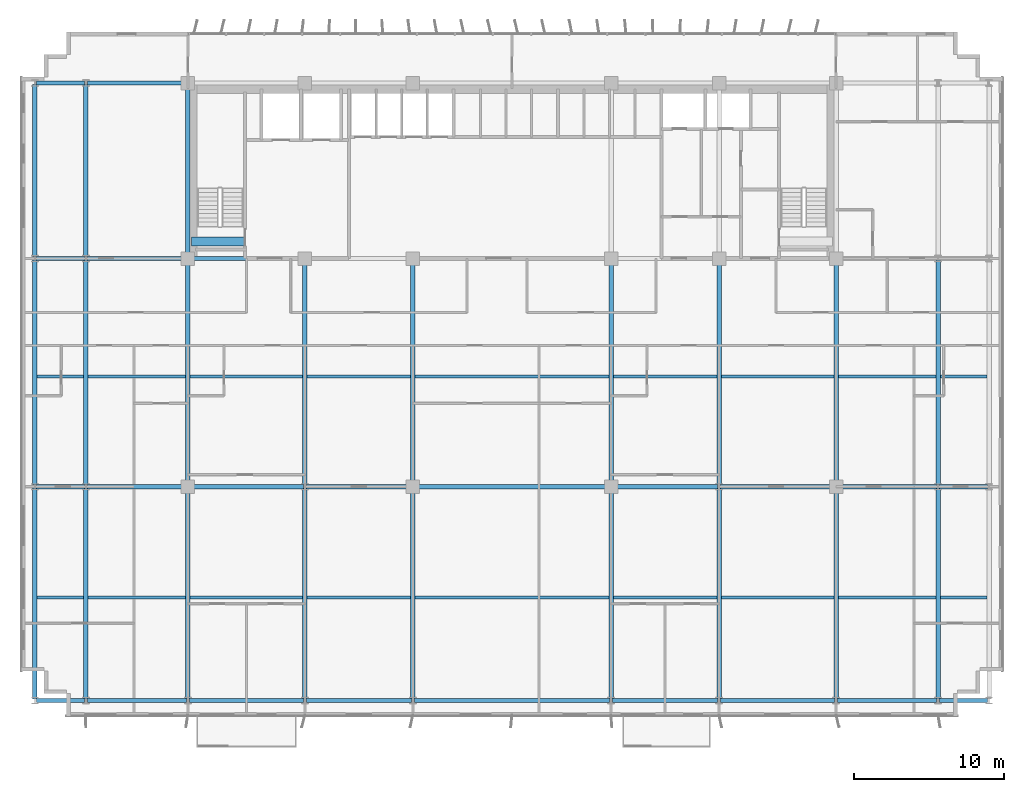
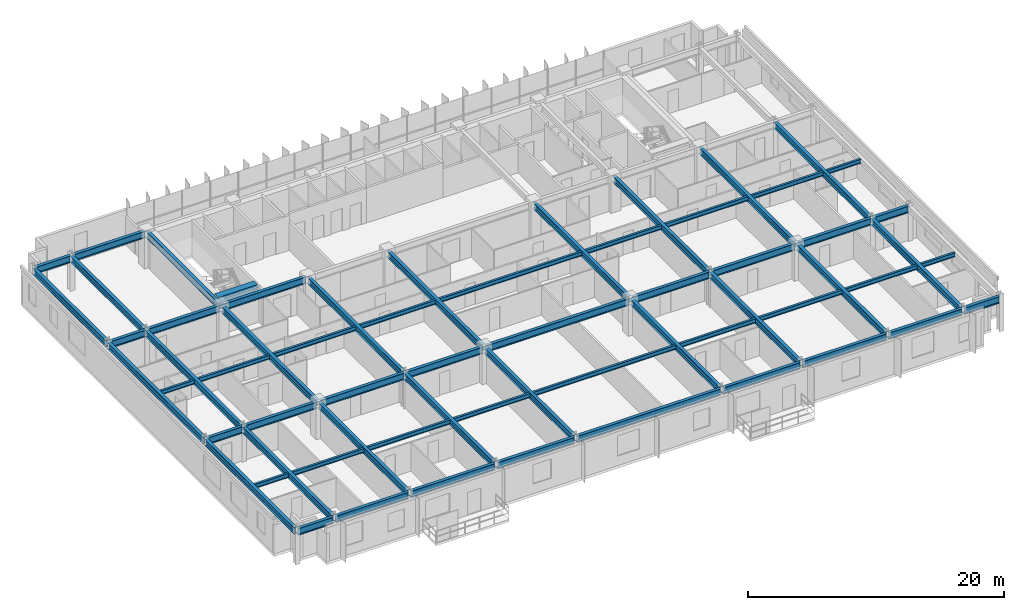
# One storey, part 4 of 22: 63 beams.
"""IFC4 building model written with IfcOpenShell, lengths in metres."""

from ifc_helpers import new_model, si_unit, direction, frame, origin, origin_2d, place, context, subcontext, project, spatial, rectangle, i_section, extrude, source, transform, mapped, material, material_profile, profile_set, type_object, element, save


model = new_model("IFC4")

# Units and contexts
model_context = context("Model", 3, precision=1e-05, world=origin(), true_north=direction((0.0, 1.0)))
body_context = subcontext(model_context, "Body", "Model", "MODEL_VIEW")
ifc_project = project(units=[si_unit("LENGTHUNIT", "METRE"), si_unit("AREAUNIT", "SQUARE_METRE"), si_unit("VOLUMEUNIT", "CUBIC_METRE"), si_unit("PLANEANGLEUNIT", "RADIAN"), si_unit("MASSUNIT", "GRAM", prefix="KILO")], contexts=[model_context])

# Site, building, storey
site_placement = place(None, origin())
site = spatial("IfcSite", under=ifc_project, at=site_placement, CompositionType="ELEMENT")
building_placement = place(site_placement, origin())
building = spatial("IfcBuilding", under=site, at=building_placement, Name="Trelvane Seafront Commons", CompositionType="ELEMENT")
storey_placement = place(building_placement, frame((0.0, 0.0, 48.699951171875)))
storey = spatial("IfcBuildingStorey", under=building, at=storey_placement, Name="L12", CompositionType="ELEMENT", Elevation=48.699951171875)

# Beams
ifc_material_1 = material(Name="Concrete C60/75", Category="concrete")
ifc_material_profile_1 = material_profile(ifc_material_1, rectangle(XDim=0.60009765625, YDim=0.89990234375, at=origin_2d()), Name="RC-600x900")
ifc_profile_set_1 = profile_set([ifc_material_profile_1], Name="Concrete C60/75")
beam_type_1 = type_object("IfcBeamType", Name="STR-LNT-RC600x900", PredefinedType="LINTEL", material=ifc_profile_set_1)
shared_shape_1 = source(origin(), body_context, "Body", "SweptSolid", [
    extrude(rectangle(XDim=0.60009765625, YDim=0.89990234375, at=origin_2d()), origin(), (0.0, 0.0, 1.0), 3.5498046875),
])
beam_1_placement = place(storey_placement, frame((15.85009765625, 34.550048828125, 2.89013671875), z_axis=(1.0, 0.0, 0.0), x_axis=(0.0, 1.0, 0.0)))
element("IfcBeam", 1, at=beam_1_placement, inside=storey, type_object=beam_type_1, Name="L12 Core Coupling Lintel Beam CB-85", PredefinedType="LINTEL", context=body_context, shape_type="MappedRepresentation", body=[
    mapped(shared_shape_1, transform((0.0, 0.0, 0.0), x_axis=(1.0, 0.0, 0.0), y_axis=(0.0, 1.0, 0.0), z_axis=(0.0, 0.0, 1.0), scale=1.0)),
])
ifc_material_2 = material(Name="Steel SM355 (S355)", Category="steel")
ifc_material_profile_2 = material_profile(ifc_material_2, i_section(OverallWidth=0.280029296875, OverallDepth=0.64990234375, WebThickness=0.012939453125, FlangeThickness=0.02197265625, at=origin_2d()), Name="H-650x280x13x22")
ifc_profile_set_2 = profile_set([ifc_material_profile_2], Name="Steel SM355 (S355)")
beam_type_2 = type_object("IfcBeamType", Name="STR-BM-H650", PredefinedType="BEAM", material=ifc_profile_set_2)
shared_shape_2 = source(origin(), body_context, "Body", "SweptSolid", [
    extrude(i_section(OverallWidth=0.280029296875, OverallDepth=0.64990234375, WebThickness=0.012939453125, FlangeThickness=0.02197265625, at=origin_2d()), origin(), (0.0, 0.0, 1.0), 3.190185546875),
])
for number, where, z_axis, x_axis, name in (
    (2, (5.5048828125, 3.949951171875, 3.01513671875), (1.0, 0.0, 0.0), (0.0, 1.0, 0.0), "L12 Primary Girder G-01"),
    (3, (5.5048828125, 18.199951171875, 3.01513671875), (1.0, 0.0, 0.0), (0.0, 1.0, 0.0), "L12 Primary Girder G-10"),
    (4, (5.5048828125, 33.39990234375, 3.01513671875), (1.0, 0.0, 0.0), (0.0, 1.0, 0.0), "L12 Primary Girder G-19"),
    (5, (5.5048828125, 45.10009765625, 3.01513671875), (1.0, 0.0, 0.0), (0.0, 1.0, 0.0), "L12 Primary Girder G-28"),
):
    element("IfcBeam", number, at=place(storey_placement, frame(where, z_axis=z_axis, x_axis=x_axis)), inside=storey, type_object=beam_type_2, Name=name, PredefinedType="BEAM", context=body_context, shape_type="MappedRepresentation", body=[
        mapped(shared_shape_2, transform((0.0, 0.0, 0.0), x_axis=(1.0, 0.0, 0.0), y_axis=(0.0, 1.0, 0.0), z_axis=(0.0, 0.0, 1.0), scale=1.0)),
    ])
shared_shape_3 = source(origin(), body_context, "Body", "SweptSolid", [
    extrude(i_section(OverallWidth=0.280029296875, OverallDepth=0.64990234375, WebThickness=0.012939453125, FlangeThickness=0.02197265625, at=origin_2d()), origin(), (0.0, 0.0, 1.0), 6.590087890625),
])
for number, where, z_axis, x_axis, name in (
    (6, (8.905029296875, 3.949951171875, 3.01513671875), (1.0, 0.0, 0.0), (0.0, 1.0, 0.0), "L12 Primary Girder G-02"),
    (7, (58.905029296875, 3.949951171875, 3.01513671875), (1.0, 0.0, 0.0), (0.0, 1.0, 0.0), "L12 Primary Girder G-08"),
):
    element("IfcBeam", number, at=place(storey_placement, frame(where, z_axis=z_axis, x_axis=x_axis)), inside=storey, type_object=beam_type_2, Name=name, PredefinedType="BEAM", context=body_context, shape_type="MappedRepresentation", body=[
        mapped(shared_shape_3, transform((0.0, 0.0, 0.0), x_axis=(1.0, 0.0, 0.0), y_axis=(0.0, 1.0, 0.0), z_axis=(0.0, 0.0, 1.0), scale=1.0)),
    ])
shared_shape_4 = source(origin(), body_context, "Body", "SweptSolid", [
    extrude(i_section(OverallWidth=0.280029296875, OverallDepth=0.64990234375, WebThickness=0.012939453125, FlangeThickness=0.02197265625, at=origin_2d()), origin(), (0.0, 0.0, 1.0), 7.58984375),
])
beam_2_placement = place(storey_placement, frame((15.705078125, 3.949951171875, 3.01513671875), z_axis=(1.0, 0.0, 0.0), x_axis=(0.0, 1.0, 0.0)))
element("IfcBeam", 8, at=beam_2_placement, inside=storey, type_object=beam_type_2, Name="L12 Primary Girder G-03", PredefinedType="BEAM", context=body_context, shape_type="MappedRepresentation", body=[
    mapped(shared_shape_4, transform((0.0, 0.0, 0.0), x_axis=(1.0, 0.0, 0.0), y_axis=(0.0, 1.0, 0.0), z_axis=(0.0, 0.0, 1.0), scale=1.0)),
])
shared_shape_5 = source(origin(), body_context, "Body", "SweptSolid", [
    extrude(i_section(OverallWidth=0.280029296875, OverallDepth=0.64990234375, WebThickness=0.012939453125, FlangeThickness=0.02197265625, at=origin_2d()), origin(), (0.0, 0.0, 1.0), 6.990234375),
])
beam_3_placement = place(storey_placement, frame((23.5048828125, 3.949951171875, 3.01513671875), z_axis=(1.0, 0.0, 0.0), x_axis=(0.0, 1.0, 0.0)))
element("IfcBeam", 9, at=beam_3_placement, inside=storey, type_object=beam_type_2, Name="L12 Primary Girder G-04", PredefinedType="BEAM", context=body_context, shape_type="MappedRepresentation", body=[
    mapped(shared_shape_5, transform((0.0, 0.0, 0.0), x_axis=(1.0, 0.0, 0.0), y_axis=(0.0, 1.0, 0.0), z_axis=(0.0, 0.0, 1.0), scale=1.0)),
])
shared_shape_6 = source(origin(), body_context, "Body", "SweptSolid", [
    extrude(i_section(OverallWidth=0.280029296875, OverallDepth=0.64990234375, WebThickness=0.012939453125, FlangeThickness=0.02197265625, at=origin_2d()), origin(), (0.0, 0.0, 1.0), 12.989990234375),
])
beam_4_placement = place(storey_placement, frame((30.705078125, 3.949951171875, 3.01513671875), z_axis=(1.0, 0.0, 0.0), x_axis=(0.0, 1.0, 0.0)))
element("IfcBeam", 10, at=beam_4_placement, inside=storey, type_object=beam_type_2, Name="L12 Primary Girder G-05", PredefinedType="BEAM", context=body_context, shape_type="MappedRepresentation", body=[
    mapped(shared_shape_6, transform((0.0, 0.0, 0.0), x_axis=(1.0, 0.0, 0.0), y_axis=(0.0, 1.0, 0.0), z_axis=(0.0, 0.0, 1.0), scale=1.0)),
])
shared_shape_7 = source(origin(), body_context, "Body", "SweptSolid", [
    extrude(i_section(OverallWidth=0.280029296875, OverallDepth=0.64990234375, WebThickness=0.012939453125, FlangeThickness=0.02197265625, at=origin_2d()), origin(), (0.0, 0.0, 1.0), 6.989990234375),
])
beam_5_placement = place(storey_placement, frame((43.905029296875, 3.949951171875, 3.01513671875), z_axis=(1.0, 0.0, 0.0), x_axis=(0.0, 1.0, 0.0)))
element("IfcBeam", 11, at=beam_5_placement, inside=storey, type_object=beam_type_2, Name="L12 Primary Girder G-06", PredefinedType="BEAM", context=body_context, shape_type="MappedRepresentation", body=[
    mapped(shared_shape_7, transform((0.0, 0.0, 0.0), x_axis=(1.0, 0.0, 0.0), y_axis=(0.0, 1.0, 0.0), z_axis=(0.0, 0.0, 1.0), scale=1.0)),
])
shared_shape_8 = source(origin(), body_context, "Body", "SweptSolid", [
    extrude(i_section(OverallWidth=0.280029296875, OverallDepth=0.64990234375, WebThickness=0.012939453125, FlangeThickness=0.02197265625, at=origin_2d()), origin(), (0.0, 0.0, 1.0), 7.590087890625),
])
beam_6_placement = place(storey_placement, frame((51.10498046875, 3.949951171875, 3.01513671875), z_axis=(1.0, 0.0, 0.0), x_axis=(0.0, 1.0, 0.0)))
element("IfcBeam", 12, at=beam_6_placement, inside=storey, type_object=beam_type_2, Name="L12 Primary Girder G-07", PredefinedType="BEAM", context=body_context, shape_type="MappedRepresentation", body=[
    mapped(shared_shape_8, transform((0.0, 0.0, 0.0), x_axis=(1.0, 0.0, 0.0), y_axis=(0.0, 1.0, 0.0), z_axis=(0.0, 0.0, 1.0), scale=1.0)),
])
shared_shape_9 = source(origin(), body_context, "Body", "SweptSolid", [
    extrude(i_section(OverallWidth=0.280029296875, OverallDepth=0.64990234375, WebThickness=0.012939453125, FlangeThickness=0.02197265625, at=origin_2d()), origin(), (0.0, 0.0, 1.0), 3.18994140625),
])
for number, where, z_axis, x_axis, name in (
    (13, (65.705078125, 3.949951171875, 3.01513671875), (1.0, 0.0, 0.0), (0.0, 1.0, 0.0), "L12 Primary Girder G-09"),
    (14, (65.705078125, 18.199951171875, 3.01513671875), (1.0, 0.0, 0.0), (0.0, 1.0, 0.0), "L12 Primary Girder G-18"),
):
    element("IfcBeam", number, at=place(storey_placement, frame(where, z_axis=z_axis, x_axis=x_axis)), inside=storey, type_object=beam_type_2, Name=name, PredefinedType="BEAM", context=body_context, shape_type="MappedRepresentation", body=[
        mapped(shared_shape_9, transform((0.0, 0.0, 0.0), x_axis=(1.0, 0.0, 0.0), y_axis=(0.0, 1.0, 0.0), z_axis=(0.0, 0.0, 1.0), scale=1.0)),
    ])
shared_shape_10 = source(origin(), body_context, "Body", "SweptSolid", [
    extrude(i_section(OverallWidth=0.280029296875, OverallDepth=0.64990234375, WebThickness=0.012939453125, FlangeThickness=0.02197265625, at=origin_2d()), origin(), (0.0, 0.0, 1.0), 6.544921875),
])
for number, where, z_axis, x_axis, name in (
    (15, (8.905029296875, 18.199951171875, 3.01513671875), (1.0, 0.0, 0.0), (0.0, 1.0, 0.0), "L12 Primary Girder G-11"),
    (16, (8.905029296875, 33.39990234375, 3.01513671875), (1.0, 0.0, 0.0), (0.0, 1.0, 0.0), "L12 Primary Girder G-20"),
    (17, (8.905029296875, 45.10009765625, 3.01513671875), (1.0, 0.0, 0.0), (0.0, 1.0, 0.0), "L12 Primary Girder G-29"),
):
    element("IfcBeam", number, at=place(storey_placement, frame(where, z_axis=z_axis, x_axis=x_axis)), inside=storey, type_object=beam_type_2, Name=name, PredefinedType="BEAM", context=body_context, shape_type="MappedRepresentation", body=[
        mapped(shared_shape_10, transform((0.0, 0.0, 0.0), x_axis=(1.0, 0.0, 0.0), y_axis=(0.0, 1.0, 0.0), z_axis=(0.0, 0.0, 1.0), scale=1.0)),
    ])
shared_shape_11 = source(origin(), body_context, "Body", "SweptSolid", [
    extrude(i_section(OverallWidth=0.280029296875, OverallDepth=0.64990234375, WebThickness=0.012939453125, FlangeThickness=0.02197265625, at=origin_2d()), origin(), (0.0, 0.0, 1.0), 7.544921875),
])
for number, where, z_axis, x_axis, name in (
    (18, (15.75, 18.199951171875, 3.01513671875), (1.0, 0.0, 0.0), (0.0, 1.0, 0.0), "L12 Primary Girder G-12"),
    (19, (51.10498046875, 18.199951171875, 3.01513671875), (1.0, 0.0, 0.0), (0.0, 1.0, 0.0), "L12 Primary Girder G-16"),
):
    element("IfcBeam", number, at=place(storey_placement, frame(where, z_axis=z_axis, x_axis=x_axis)), inside=storey, type_object=beam_type_2, Name=name, PredefinedType="BEAM", context=body_context, shape_type="MappedRepresentation", body=[
        mapped(shared_shape_11, transform((0.0, 0.0, 0.0), x_axis=(1.0, 0.0, 0.0), y_axis=(0.0, 1.0, 0.0), z_axis=(0.0, 0.0, 1.0), scale=1.0)),
    ])
shared_shape_12 = source(origin(), body_context, "Body", "SweptSolid", [
    extrude(i_section(OverallWidth=0.280029296875, OverallDepth=0.64990234375, WebThickness=0.012939453125, FlangeThickness=0.02197265625, at=origin_2d()), origin(), (0.0, 0.0, 1.0), 6.945068359375),
])
for number, where, z_axis, x_axis, name in (
    (20, (23.5048828125, 18.199951171875, 3.01513671875), (1.0, 0.0, 0.0), (0.0, 1.0, 0.0), "L12 Primary Girder G-13"),
    (21, (43.949951171875, 18.199951171875, 3.01513671875), (1.0, 0.0, 0.0), (0.0, 1.0, 0.0), "L12 Primary Girder G-15"),
):
    element("IfcBeam", number, at=place(storey_placement, frame(where, z_axis=z_axis, x_axis=x_axis)), inside=storey, type_object=beam_type_2, Name=name, PredefinedType="BEAM", context=body_context, shape_type="MappedRepresentation", body=[
        mapped(shared_shape_12, transform((0.0, 0.0, 0.0), x_axis=(1.0, 0.0, 0.0), y_axis=(0.0, 1.0, 0.0), z_axis=(0.0, 0.0, 1.0), scale=1.0)),
    ])
shared_shape_13 = source(origin(), body_context, "Body", "SweptSolid", [
    extrude(i_section(OverallWidth=0.280029296875, OverallDepth=0.64990234375, WebThickness=0.012939453125, FlangeThickness=0.02197265625, at=origin_2d()), origin(), (0.0, 0.0, 1.0), 12.89990234375),
])
beam_7_placement = place(storey_placement, frame((30.75, 18.199951171875, 3.01513671875), z_axis=(1.0, 0.0, 0.0), x_axis=(0.0, 1.0, 0.0)))
element("IfcBeam", 22, at=beam_7_placement, inside=storey, type_object=beam_type_2, Name="L12 Primary Girder G-14", PredefinedType="BEAM", context=body_context, shape_type="MappedRepresentation", body=[
    mapped(shared_shape_13, transform((0.0, 0.0, 0.0), x_axis=(1.0, 0.0, 0.0), y_axis=(0.0, 1.0, 0.0), z_axis=(0.0, 0.0, 1.0), scale=1.0)),
])
shared_shape_14 = source(origin(), body_context, "Body", "SweptSolid", [
    extrude(i_section(OverallWidth=0.280029296875, OverallDepth=0.64990234375, WebThickness=0.012939453125, FlangeThickness=0.02197265625, at=origin_2d()), origin(), (0.0, 0.0, 1.0), 6.545166015625),
])
beam_8_placement = place(storey_placement, frame((58.949951171875, 18.199951171875, 3.01513671875), z_axis=(1.0, 0.0, 0.0), x_axis=(0.0, 1.0, 0.0)))
element("IfcBeam", 23, at=beam_8_placement, inside=storey, type_object=beam_type_2, Name="L12 Primary Girder G-17", PredefinedType="BEAM", context=body_context, shape_type="MappedRepresentation", body=[
    mapped(shared_shape_14, transform((0.0, 0.0, 0.0), x_axis=(1.0, 0.0, 0.0), y_axis=(0.0, 1.0, 0.0), z_axis=(0.0, 0.0, 1.0), scale=1.0)),
])
shared_shape_15 = source(origin(), body_context, "Body", "SweptSolid", [
    extrude(i_section(OverallWidth=0.280029296875, OverallDepth=0.64990234375, WebThickness=0.012939453125, FlangeThickness=0.02197265625, at=origin_2d()), origin(), (0.0, 0.0, 1.0), 7.5),
])
beam_9_placement = place(storey_placement, frame((15.75, 33.39990234375, 3.01513671875), z_axis=(1.0, 0.0, 0.0), x_axis=(0.0, 1.0, 0.0)))
element("IfcBeam", 24, at=beam_9_placement, inside=storey, type_object=beam_type_2, Name="L12 Primary Girder G-21", PredefinedType="BEAM", context=body_context, shape_type="MappedRepresentation", body=[
    mapped(shared_shape_15, transform((0.0, 0.0, 0.0), x_axis=(1.0, 0.0, 0.0), y_axis=(0.0, 1.0, 0.0), z_axis=(0.0, 0.0, 1.0), scale=1.0)),
])
ifc_material_profile_3 = material_profile(ifc_material_2, i_section(OverallWidth=0.300048828125, OverallDepth=0.587890625, WebThickness=0.011962890625, FlangeThickness=0.02001953125, at=origin_2d()), Name="H-588x300x12x20")
ifc_profile_set_3 = profile_set([ifc_material_profile_3], Name="Steel SM355 (S355)")
beam_type_3 = type_object("IfcBeamType", Name="STR-BM-H588", PredefinedType="BEAM", material=ifc_profile_set_3)
shared_shape_16 = source(origin(), body_context, "Body", "SweptSolid", [
    extrude(i_section(OverallWidth=0.300048828125, OverallDepth=0.587890625, WebThickness=0.011962890625, FlangeThickness=0.02001953125, at=origin_2d()), origin(), (0.0, 0.0, 1.0), 14.0400390625),
])
for number, where, z_axis, x_axis, name in (
    (25, (5.39990234375, 4.054931640625, 3.046142578125), (0.0, 1.0, 0.0), (-1.0, 0.0, 0.0), "L12 Primary Girder G-37"),
    (26, (8.800048828125, 4.054931640625, 3.046142578125), (0.0, 1.0, 0.0), (-1.0, 0.0, 0.0), "L12 Primary Girder G-40"),
    (27, (23.39990234375, 4.054931640625, 3.046142578125), (0.0, 1.0, 0.0), (-1.0, 0.0, 0.0), "L12 Primary Girder G-46"),
    (28, (51.0, 4.054931640625, 3.046142578125), (0.0, 1.0, 0.0), (-1.0, 0.0, 0.0), "L12 Primary Girder G-55"),
    (29, (65.60009765625, 4.054931640625, 3.046142578125), (0.0, 1.0, 0.0), (-1.0, 0.0, 0.0), "L12 Primary Girder G-61"),
):
    element("IfcBeam", number, at=place(storey_placement, frame(where, z_axis=z_axis, x_axis=x_axis)), inside=storey, type_object=beam_type_3, Name=name, PredefinedType="BEAM", context=body_context, shape_type="MappedRepresentation", body=[
        mapped(shared_shape_16, transform((0.0, 0.0, 0.0), x_axis=(1.0, 0.0, 0.0), y_axis=(0.0, 1.0, 0.0), z_axis=(0.0, 0.0, 1.0), scale=1.0)),
    ])
shared_shape_17 = source(origin(), body_context, "Body", "SweptSolid", [
    extrude(i_section(OverallWidth=0.300048828125, OverallDepth=0.587890625, WebThickness=0.011962890625, FlangeThickness=0.02001953125, at=origin_2d()), origin(), (0.0, 0.0, 1.0), 14.989990234375),
])
for number, where, z_axis, x_axis, name in (
    (30, (5.39990234375, 18.304931640625, 3.046142578125), (0.0, 1.0, 0.0), (-1.0, 0.0, 0.0), "L12 Primary Girder G-38"),
    (31, (8.800048828125, 18.304931640625, 3.046142578125), (0.0, 1.0, 0.0), (-1.0, 0.0, 0.0), "L12 Primary Girder G-41"),
    (32, (65.60009765625, 18.304931640625, 3.046142578125), (0.0, 1.0, 0.0), (-1.0, 0.0, 0.0), "L12 Primary Girder G-62"),
):
    element("IfcBeam", number, at=place(storey_placement, frame(where, z_axis=z_axis, x_axis=x_axis)), inside=storey, type_object=beam_type_3, Name=name, PredefinedType="BEAM", context=body_context, shape_type="MappedRepresentation", body=[
        mapped(shared_shape_17, transform((0.0, 0.0, 0.0), x_axis=(1.0, 0.0, 0.0), y_axis=(0.0, 1.0, 0.0), z_axis=(0.0, 0.0, 1.0), scale=1.0)),
    ])
shared_shape_18 = source(origin(), body_context, "Body", "SweptSolid", [
    extrude(i_section(OverallWidth=0.300048828125, OverallDepth=0.587890625, WebThickness=0.011962890625, FlangeThickness=0.02001953125, at=origin_2d()), origin(), (0.0, 0.0, 1.0), 11.490234375),
])
for number, where, z_axis, x_axis, name in (
    (33, (5.39990234375, 33.5048828125, 3.046142578125), (0.0, 1.0, 0.0), (-1.0, 0.0, 0.0), "L12 Primary Girder G-39"),
    (34, (8.800048828125, 33.5048828125, 3.046142578125), (0.0, 1.0, 0.0), (-1.0, 0.0, 0.0), "L12 Primary Girder G-42"),
):
    element("IfcBeam", number, at=place(storey_placement, frame(where, z_axis=z_axis, x_axis=x_axis)), inside=storey, type_object=beam_type_3, Name=name, PredefinedType="BEAM", context=body_context, shape_type="MappedRepresentation", body=[
        mapped(shared_shape_18, transform((0.0, 0.0, 0.0), x_axis=(1.0, 0.0, 0.0), y_axis=(0.0, 1.0, 0.0), z_axis=(0.0, 0.0, 1.0), scale=1.0)),
    ])
shared_shape_19 = source(origin(), body_context, "Body", "SweptSolid", [
    extrude(i_section(OverallWidth=0.300048828125, OverallDepth=0.587890625, WebThickness=0.011962890625, FlangeThickness=0.02001953125, at=origin_2d()), origin(), (0.0, 0.0, 1.0), 13.9951171875),
])
for number, where, z_axis, x_axis, name in (
    (35, (15.60009765625, 4.054931640625, 3.046142578125), (0.0, 1.0, 0.0), (-1.0, 0.0, 0.0), "L12 Primary Girder G-43"),
    (36, (30.60009765625, 4.054931640625, 3.046142578125), (0.0, 1.0, 0.0), (-1.0, 0.0, 0.0), "L12 Primary Girder G-49"),
    (37, (43.800048828125, 4.054931640625, 3.046142578125), (0.0, 1.0, 0.0), (-1.0, 0.0, 0.0), "L12 Primary Girder G-52"),
    (38, (58.800048828125, 4.054931640625, 3.046142578125), (0.0, 1.0, 0.0), (-1.0, 0.0, 0.0), "L12 Primary Girder G-58"),
):
    element("IfcBeam", number, at=place(storey_placement, frame(where, z_axis=z_axis, x_axis=x_axis)), inside=storey, type_object=beam_type_3, Name=name, PredefinedType="BEAM", context=body_context, shape_type="MappedRepresentation", body=[
        mapped(shared_shape_19, transform((0.0, 0.0, 0.0), x_axis=(1.0, 0.0, 0.0), y_axis=(0.0, 1.0, 0.0), z_axis=(0.0, 0.0, 1.0), scale=1.0)),
    ])
shared_shape_20 = source(origin(), body_context, "Body", "SweptSolid", [
    extrude(i_section(OverallWidth=0.300048828125, OverallDepth=0.587890625, WebThickness=0.011962890625, FlangeThickness=0.02001953125, at=origin_2d()), origin(), (0.0, 0.0, 1.0), 14.89990234375),
])
for number, where, z_axis, x_axis, name in (
    (39, (15.60009765625, 18.35009765625, 3.046142578125), (0.0, 1.0, 0.0), (-1.0, 0.0, 0.0), "L12 Primary Girder G-44"),
    (40, (30.60009765625, 18.35009765625, 3.046142578125), (0.0, 1.0, 0.0), (-1.0, 0.0, 0.0), "L12 Primary Girder G-50"),
    (41, (43.800048828125, 18.35009765625, 3.046142578125), (0.0, 1.0, 0.0), (-1.0, 0.0, 0.0), "L12 Primary Girder G-53"),
    (42, (58.800048828125, 18.35009765625, 3.046142578125), (0.0, 1.0, 0.0), (-1.0, 0.0, 0.0), "L12 Primary Girder G-59"),
):
    element("IfcBeam", number, at=place(storey_placement, frame(where, z_axis=z_axis, x_axis=x_axis)), inside=storey, type_object=beam_type_3, Name=name, PredefinedType="BEAM", context=body_context, shape_type="MappedRepresentation", body=[
        mapped(shared_shape_20, transform((0.0, 0.0, 0.0), x_axis=(1.0, 0.0, 0.0), y_axis=(0.0, 1.0, 0.0), z_axis=(0.0, 0.0, 1.0), scale=1.0)),
    ])
shared_shape_21 = source(origin(), body_context, "Body", "SweptSolid", [
    extrude(i_section(OverallWidth=0.300048828125, OverallDepth=0.587890625, WebThickness=0.011962890625, FlangeThickness=0.02001953125, at=origin_2d()), origin(), (0.0, 0.0, 1.0), 11.39990234375),
])
beam_10_placement = place(storey_placement, frame((15.60009765625, 33.550048828125, 3.046142578125), z_axis=(0.0, 1.0, 0.0), x_axis=(-1.0, 0.0, 0.0)))
element("IfcBeam", 43, at=beam_10_placement, inside=storey, type_object=beam_type_3, Name="L12 Primary Girder G-45", PredefinedType="BEAM", context=body_context, shape_type="MappedRepresentation", body=[
    mapped(shared_shape_21, transform((0.0, 0.0, 0.0), x_axis=(1.0, 0.0, 0.0), y_axis=(0.0, 1.0, 0.0), z_axis=(0.0, 0.0, 1.0), scale=1.0)),
])
shared_shape_22 = source(origin(), body_context, "Body", "SweptSolid", [
    extrude(i_section(OverallWidth=0.300048828125, OverallDepth=0.587890625, WebThickness=0.011962890625, FlangeThickness=0.02001953125, at=origin_2d()), origin(), (0.0, 0.0, 1.0), 14.945068359375),
])
for number, where, z_axis, x_axis, name in (
    (44, (23.39990234375, 18.304931640625, 3.046142578125), (0.0, 1.0, 0.0), (-1.0, 0.0, 0.0), "L12 Primary Girder G-47"),
    (45, (51.0, 18.304931640625, 3.046142578125), (0.0, 1.0, 0.0), (-1.0, 0.0, 0.0), "L12 Primary Girder G-56"),
):
    element("IfcBeam", number, at=place(storey_placement, frame(where, z_axis=z_axis, x_axis=x_axis)), inside=storey, type_object=beam_type_3, Name=name, PredefinedType="BEAM", context=body_context, shape_type="MappedRepresentation", body=[
        mapped(shared_shape_22, transform((0.0, 0.0, 0.0), x_axis=(1.0, 0.0, 0.0), y_axis=(0.0, 1.0, 0.0), z_axis=(0.0, 0.0, 1.0), scale=1.0)),
    ])
ifc_material_profile_4 = material_profile(ifc_material_2, i_section(OverallWidth=0.199951171875, OverallDepth=0.39990234375, WebThickness=0.008056640625, FlangeThickness=0.012939453125, at=origin_2d()), Name="H-400x200x8x13")
ifc_profile_set_4 = profile_set([ifc_material_profile_4], Name="Steel SM355 (S355)")
beam_type_4 = type_object("IfcBeamType", Name="STR-JST-H400", PredefinedType="JOIST", material=ifc_profile_set_4)
shared_shape_23 = source(origin(), body_context, "Body", "SweptSolid", [
    extrude(i_section(OverallWidth=0.199951171875, OverallDepth=0.39990234375, WebThickness=0.008056640625, FlangeThickness=0.012939453125, at=origin_2d()), origin(), (0.0, 0.0, 1.0), 3.099853515625),
])
for number, where, z_axis, x_axis, name in (
    (46, (5.550048828125, 10.824951171875, 3.14013671875), (1.0, 0.0, 0.0), (0.0, 1.0, 0.0), "L12 Secondary Floor Joist B-67"),
    (47, (5.550048828125, 25.550048828125, 3.14013671875), (1.0, 0.0, 0.0), (0.0, 1.0, 0.0), "L12 Secondary Floor Joist B-76"),
):
    element("IfcBeam", number, at=place(storey_placement, frame(where, z_axis=z_axis, x_axis=x_axis)), inside=storey, type_object=beam_type_4, Name=name, PredefinedType="JOIST", context=body_context, shape_type="MappedRepresentation", body=[
        mapped(shared_shape_23, transform((0.0, 0.0, 0.0), x_axis=(1.0, 0.0, 0.0), y_axis=(0.0, 1.0, 0.0), z_axis=(0.0, 0.0, 1.0), scale=1.0)),
    ])
shared_shape_24 = source(origin(), body_context, "Body", "SweptSolid", [
    extrude(i_section(OverallWidth=0.199951171875, OverallDepth=0.39990234375, WebThickness=0.008056640625, FlangeThickness=0.012939453125, at=origin_2d()), origin(), (0.0, 0.0, 1.0), 6.5),
])
for number, where, z_axis, x_axis, name in (
    (48, (8.949951171875, 10.824951171875, 3.14013671875), (1.0, 0.0, 0.0), (0.0, 1.0, 0.0), "L12 Secondary Floor Joist B-68"),
    (49, (58.949951171875, 10.824951171875, 3.14013671875), (1.0, 0.0, 0.0), (0.0, 1.0, 0.0), "L12 Secondary Floor Joist B-74"),
    (50, (8.949951171875, 25.550048828125, 3.14013671875), (1.0, 0.0, 0.0), (0.0, 1.0, 0.0), "L12 Secondary Floor Joist B-77"),
    (51, (58.949951171875, 25.550048828125, 3.14013671875), (1.0, 0.0, 0.0), (0.0, 1.0, 0.0), "L12 Secondary Floor Joist B-83"),
):
    element("IfcBeam", number, at=place(storey_placement, frame(where, z_axis=z_axis, x_axis=x_axis)), inside=storey, type_object=beam_type_4, Name=name, PredefinedType="JOIST", context=body_context, shape_type="MappedRepresentation", body=[
        mapped(shared_shape_24, transform((0.0, 0.0, 0.0), x_axis=(1.0, 0.0, 0.0), y_axis=(0.0, 1.0, 0.0), z_axis=(0.0, 0.0, 1.0), scale=1.0)),
    ])
shared_shape_25 = source(origin(), body_context, "Body", "SweptSolid", [
    extrude(i_section(OverallWidth=0.199951171875, OverallDepth=0.39990234375, WebThickness=0.008056640625, FlangeThickness=0.012939453125, at=origin_2d()), origin(), (0.0, 0.0, 1.0), 7.5),
])
for number, where, z_axis, x_axis, name in (
    (52, (15.75, 10.824951171875, 3.14013671875), (1.0, 0.0, 0.0), (0.0, 1.0, 0.0), "L12 Secondary Floor Joist B-69"),
    (53, (51.14990234375, 10.824951171875, 3.14013671875), (1.0, 0.0, 0.0), (0.0, 1.0, 0.0), "L12 Secondary Floor Joist B-73"),
    (54, (15.75, 25.550048828125, 3.14013671875), (1.0, 0.0, 0.0), (0.0, 1.0, 0.0), "L12 Secondary Floor Joist B-78"),
    (55, (51.14990234375, 25.550048828125, 3.14013671875), (1.0, 0.0, 0.0), (0.0, 1.0, 0.0), "L12 Secondary Floor Joist B-82"),
):
    element("IfcBeam", number, at=place(storey_placement, frame(where, z_axis=z_axis, x_axis=x_axis)), inside=storey, type_object=beam_type_4, Name=name, PredefinedType="JOIST", context=body_context, shape_type="MappedRepresentation", body=[
        mapped(shared_shape_25, transform((0.0, 0.0, 0.0), x_axis=(1.0, 0.0, 0.0), y_axis=(0.0, 1.0, 0.0), z_axis=(0.0, 0.0, 1.0), scale=1.0)),
    ])
shared_shape_26 = source(origin(), body_context, "Body", "SweptSolid", [
    extrude(i_section(OverallWidth=0.199951171875, OverallDepth=0.39990234375, WebThickness=0.008056640625, FlangeThickness=0.012939453125, at=origin_2d()), origin(), (0.0, 0.0, 1.0), 6.89990234375),
])
for number, where, z_axis, x_axis, name in (
    (56, (23.550048828125, 10.824951171875, 3.14013671875), (1.0, 0.0, 0.0), (0.0, 1.0, 0.0), "L12 Secondary Floor Joist B-70"),
    (57, (23.550048828125, 25.550048828125, 3.14013671875), (1.0, 0.0, 0.0), (0.0, 1.0, 0.0), "L12 Secondary Floor Joist B-79"),
):
    element("IfcBeam", number, at=place(storey_placement, frame(where, z_axis=z_axis, x_axis=x_axis)), inside=storey, type_object=beam_type_4, Name=name, PredefinedType="JOIST", context=body_context, shape_type="MappedRepresentation", body=[
        mapped(shared_shape_26, transform((0.0, 0.0, 0.0), x_axis=(1.0, 0.0, 0.0), y_axis=(0.0, 1.0, 0.0), z_axis=(0.0, 0.0, 1.0), scale=1.0)),
    ])
shared_shape_27 = source(origin(), body_context, "Body", "SweptSolid", [
    extrude(i_section(OverallWidth=0.199951171875, OverallDepth=0.39990234375, WebThickness=0.008056640625, FlangeThickness=0.012939453125, at=origin_2d()), origin(), (0.0, 0.0, 1.0), 12.89990234375),
])
for number, where, z_axis, x_axis, name in (
    (58, (30.75, 10.824951171875, 3.14013671875), (1.0, 0.0, 0.0), (0.0, 1.0, 0.0), "L12 Secondary Floor Joist B-71"),
    (59, (30.75, 25.550048828125, 3.14013671875), (1.0, 0.0, 0.0), (0.0, 1.0, 0.0), "L12 Secondary Floor Joist B-80"),
):
    element("IfcBeam", number, at=place(storey_placement, frame(where, z_axis=z_axis, x_axis=x_axis)), inside=storey, type_object=beam_type_4, Name=name, PredefinedType="JOIST", context=body_context, shape_type="MappedRepresentation", body=[
        mapped(shared_shape_27, transform((0.0, 0.0, 0.0), x_axis=(1.0, 0.0, 0.0), y_axis=(0.0, 1.0, 0.0), z_axis=(0.0, 0.0, 1.0), scale=1.0)),
    ])
shared_shape_28 = source(origin(), body_context, "Body", "SweptSolid", [
    extrude(i_section(OverallWidth=0.199951171875, OverallDepth=0.39990234375, WebThickness=0.008056640625, FlangeThickness=0.012939453125, at=origin_2d()), origin(), (0.0, 0.0, 1.0), 6.900146484375),
])
for number, where, z_axis, x_axis, name in (
    (60, (43.949951171875, 10.824951171875, 3.14013671875), (1.0, 0.0, 0.0), (0.0, 1.0, 0.0), "L12 Secondary Floor Joist B-72"),
    (61, (43.949951171875, 25.550048828125, 3.14013671875), (1.0, 0.0, 0.0), (0.0, 1.0, 0.0), "L12 Secondary Floor Joist B-81"),
):
    element("IfcBeam", number, at=place(storey_placement, frame(where, z_axis=z_axis, x_axis=x_axis)), inside=storey, type_object=beam_type_4, Name=name, PredefinedType="JOIST", context=body_context, shape_type="MappedRepresentation", body=[
        mapped(shared_shape_28, transform((0.0, 0.0, 0.0), x_axis=(1.0, 0.0, 0.0), y_axis=(0.0, 1.0, 0.0), z_axis=(0.0, 0.0, 1.0), scale=1.0)),
    ])
shared_shape_29 = source(origin(), body_context, "Body", "SweptSolid", [
    extrude(i_section(OverallWidth=0.199951171875, OverallDepth=0.39990234375, WebThickness=0.008056640625, FlangeThickness=0.012939453125, at=origin_2d()), origin(), (0.0, 0.0, 1.0), 3.10009765625),
])
for number, where, z_axis, x_axis, name in (
    (62, (65.75, 10.824951171875, 3.14013671875), (1.0, 0.0, 0.0), (0.0, 1.0, 0.0), "L12 Secondary Floor Joist B-75"),
    (63, (65.75, 25.550048828125, 3.14013671875), (1.0, 0.0, 0.0), (0.0, 1.0, 0.0), "L12 Secondary Floor Joist B-84"),
):
    element("IfcBeam", number, at=place(storey_placement, frame(where, z_axis=z_axis, x_axis=x_axis)), inside=storey, type_object=beam_type_4, Name=name, PredefinedType="JOIST", context=body_context, shape_type="MappedRepresentation", body=[
        mapped(shared_shape_29, transform((0.0, 0.0, 0.0), x_axis=(1.0, 0.0, 0.0), y_axis=(0.0, 1.0, 0.0), z_axis=(0.0, 0.0, 1.0), scale=1.0)),
    ])

save(model, "model.ifc")
